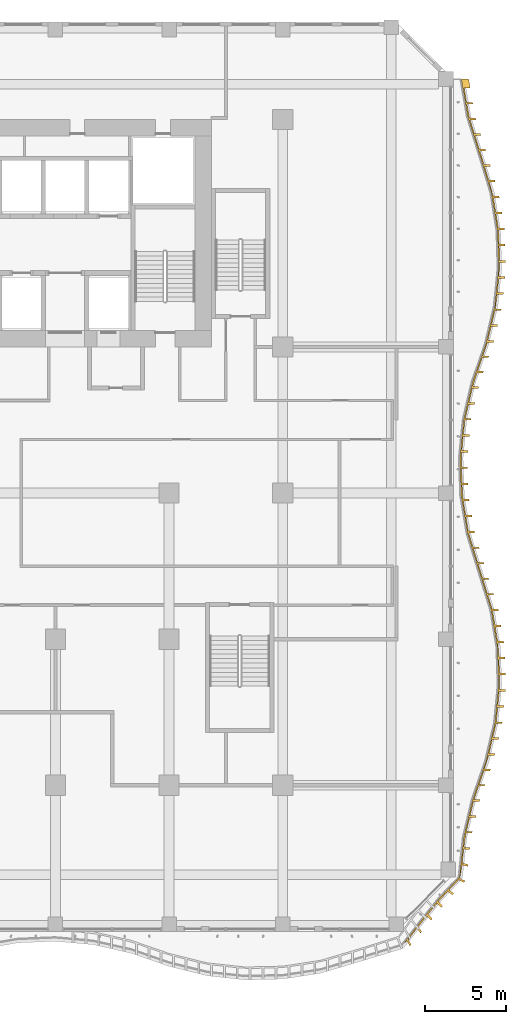
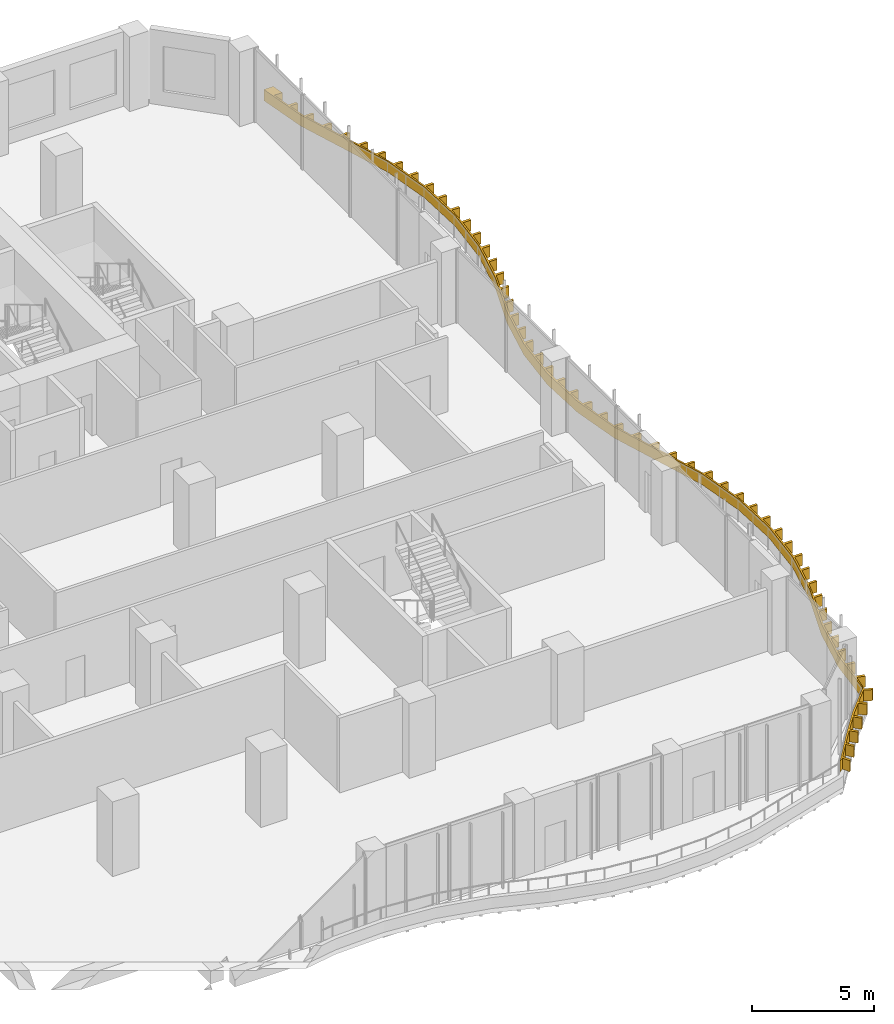
# One storey, part 22 of 25: 1 shading device.
"""IFC4 building model written with IfcOpenShell, lengths in metres."""

from ifc_helpers import new_model, si_unit, direction, frame, origin, place, context, subcontext, project, spatial, polyline, outline, extrude, source, transform, mapped, material, layer, layer_set, type_object, element, save


model = new_model("IFC4")

# Units and contexts
model_context = context("Model", 3, precision=1e-05, world=origin(), true_north=direction((0.0, 1.0)))
body_context = subcontext(model_context, "Body", "Model", "MODEL_VIEW")
ifc_project = project(units=[si_unit("LENGTHUNIT", "METRE"), si_unit("AREAUNIT", "SQUARE_METRE"), si_unit("VOLUMEUNIT", "CUBIC_METRE"), si_unit("PLANEANGLEUNIT", "RADIAN"), si_unit("MASSUNIT", "GRAM", prefix="KILO")], contexts=[model_context])

# Site, building, storey
site_placement = place(None, origin())
site = spatial("IfcSite", under=ifc_project, at=site_placement, CompositionType="ELEMENT")
building_placement = place(site_placement, origin())
building = spatial("IfcBuilding", under=site, at=building_placement, Name="Kilnfold Tower and Market Hall", CompositionType="ELEMENT")
storey_placement = place(building_placement, frame((0.0, 0.0, 67.199951171875)))
storey = spatial("IfcBuildingStorey", under=building, at=storey_placement, Name="L15", CompositionType="ELEMENT", Elevation=67.199951171875)

# Shading device
ifc_material = material(Name="Bronze anodised aluminium", Category="aluminium")
ifc_layer = layer(ifc_material, 0.550048828125)
ifc_layer_set = layer_set([ifc_layer], Name="Bronze anodised aluminium")
shading_device_type = type_object("IfcShadingDeviceType", Name="BRONZE SLAT FASCIA 550", PredefinedType="USERDEFINED", material=ifc_layer_set)
shared_shape = source(origin(), body_context, "Body", "SweptSolid", [
    extrude(outline(polyline([(30.32470703125, -28.90869140625), (30.156494140625, -28.582763671875), (29.964599609375, -28.716796875), (31.0908203125, -27.257568359375), (32.136474609375, -25.969970703125), (33.3798828125, -24.657470703125), (33.648681640625, -22.166748046875), (34.205810546875, -19.833251953125), (35.01611328125, -17.5), (35.56298828125, -15.166748046875), (35.791015625, -12.833251953125), (35.71240234375, -10.5), (35.322509765625, -8.166748046875), (33.87744140625, -3.5), (33.48779296875, -1.166748046875), (33.408935546875, 1.166748046875), (33.636962890625, 3.5), (34.18408203125, 5.833251953125), (34.994140625, 8.166748046875), (35.55126953125, 10.5), (35.788818359375, 12.833251953125), (35.71923828125, 15.166748046875), (35.339111328125, 17.5), (34.627197265625, 19.833251953125), (33.894287109375, 22.166748046875), (33.494873046875, 24.5), (33.94482421875, 24.5), (34.041748046875, 23.93408203125), (33.671875, 23.93408203125), (33.8203125, 23.066650390625), (34.190185546875, 23.066650390625), (34.21044921875, 22.948486328125), (33.840576171875, 22.948486328125), (34.000244140625, 22.083740234375), (34.370361328125, 22.083740234375), (34.40625, 21.96923828125), (34.036376953125, 21.96923828125), (34.300048828125, 21.1298828125), (34.669921875, 21.1298828125), (34.705810546875, 21.015380859375), (34.3359375, 21.015380859375), (34.599609375, 20.17578125), (34.969482421875, 20.17578125), (35.005615234375, 20.061279296875), (34.635498046875, 20.061279296875), (34.894287109375, 19.22021484375), (35.26416015625, 19.22021484375), (35.29931640625, 19.105224609375), (34.92919921875, 19.105224609375), (35.18603515625, 18.263671875), (35.55615234375, 18.263671875), (35.591064453125, 18.14892578125), (35.22119140625, 18.14892578125), (35.451416015625, 17.301025390625), (35.821533203125, 17.301025390625), (35.8408203125, 17.1826171875), (35.470703125, 17.1826171875), (35.6123046875, 16.31396484375), (35.982421875, 16.31396484375), (36.001708984375, 16.195556640625), (35.631591796875, 16.195556640625), (35.773193359375, 15.326904296875), (36.14306640625, 15.326904296875), (36.162353515625, 15.20849609375), (35.79248046875, 15.20849609375), (35.82421875, 14.32958984375), (36.194091796875, 14.32958984375), (36.19775390625, 14.209716796875), (35.82763671875, 14.209716796875), (35.85400390625, 13.330078125), (36.223876953125, 13.330078125), (36.2275390625, 13.2099609375), (35.857421875, 13.2099609375), (35.81787109375, 12.332763671875), (36.187744140625, 12.332763671875), (36.175537109375, 12.21337890625), (35.8056640625, 12.21337890625), (35.716552734375, 11.337890625), (36.08642578125, 11.337890625), (36.07421875, 11.218505859375), (35.704345703125, 11.218505859375), (35.594482421875, 10.3466796875), (35.964599609375, 10.3466796875), (35.936767578125, 10.229736328125), (35.566650390625, 10.229736328125), (35.3623046875, 9.373779296875), (35.732421875, 9.373779296875), (35.70458984375, 9.257080078125), (35.33447265625, 9.257080078125), (35.130126953125, 8.401123046875), (35.5, 8.401123046875), (35.47216796875, 8.284423828125), (35.102294921875, 8.284423828125), (34.8251953125, 7.44970703125), (35.1953125, 7.44970703125), (35.156005859375, 7.33642578125), (34.785888671875, 7.33642578125), (34.497314453125, 6.505126953125), (34.8671875, 6.505126953125), (34.827880859375, 6.3916015625), (34.4580078125, 6.3916015625), (34.1982421875, 5.552001953125), (34.568115234375, 5.552001953125), (34.540771484375, 5.435302734375), (34.1708984375, 5.435302734375), (33.969970703125, 4.57861328125), (34.33984375, 4.57861328125), (34.3125, 4.461669921875), (33.9423828125, 4.461669921875), (33.74169921875, 3.60498046875), (34.111572265625, 3.60498046875), (34.085693359375, 3.48779296875), (33.7158203125, 3.48779296875), (33.630126953125, 2.61181640625), (34.000244140625, 2.61181640625), (33.988525390625, 2.492431640625), (33.61865234375, 2.492431640625), (33.532958984375, 1.61669921875), (33.903076171875, 1.61669921875), (33.891357421875, 1.497314453125), (33.521240234375, 1.497314453125), (33.507568359375, 0.619140625), (33.87744140625, 0.619140625), (33.881591796875, 0.499267578125), (33.511474609375, 0.499267578125), (33.541259765625, -0.38037109375), (33.9111328125, -0.38037109375), (33.915283203125, -0.500244140625), (33.545166015625, -0.500244140625), (33.602783203125, -1.376953125), (33.972900390625, -1.376953125), (33.99267578125, -1.495361328125), (33.62255859375, -1.495361328125), (33.767578125, -2.36328125), (34.1376953125, -2.36328125), (34.157470703125, -2.481689453125), (33.787353515625, -2.481689453125), (33.932373046875, -3.349609375), (34.302490234375, -3.349609375), (34.322021484375, -3.468017578125), (33.9521484375, -3.468017578125), (34.208251953125, -4.3095703125), (34.578125, -4.3095703125), (34.61376953125, -4.42431640625), (34.24365234375, -4.42431640625), (34.50390625, -5.264892578125), (34.8740234375, -5.264892578125), (34.909423828125, -5.37939453125), (34.53955078125, -5.37939453125), (34.7998046875, -6.22021484375), (35.169921875, -6.22021484375), (35.205322265625, -6.334716796875), (34.835205078125, -6.334716796875), (35.095458984375, -7.17529296875), (35.465576171875, -7.17529296875), (35.5009765625, -7.2900390625), (35.131103515625, -7.2900390625), (35.391357421875, -8.130615234375), (35.76123046875, -8.130615234375), (35.7724609375, -8.166748046875), (35.785888671875, -8.247802734375), (35.416015625, -8.247802734375), (35.56103515625, -9.11572265625), (35.93115234375, -9.11572265625), (35.95068359375, -9.234130859375), (35.580810546875, -9.234130859375), (35.725830078125, -10.10205078125), (36.095703125, -10.10205078125), (36.115478515625, -10.220458984375), (35.74560546875, -10.220458984375), (35.8125, -11.09619140625), (36.182373046875, -11.09619140625), (36.1865234375, -11.21630859375), (35.81640625, -11.21630859375), (35.84619140625, -12.095703125), (36.216064453125, -12.095703125), (36.22021484375, -12.215576171875), (35.85009765625, -12.215576171875), (35.845458984375, -13.093994140625), (36.215576171875, -13.093994140625), (36.203857421875, -13.21337890625), (35.833984375, -13.21337890625), (35.748291015625, -14.08935546875), (36.118408203125, -14.08935546875), (36.106689453125, -14.208740234375), (35.736572265625, -14.208740234375), (35.65087890625, -15.08447265625), (36.02099609375, -15.08447265625), (36.012939453125, -15.166748046875), (36.00439453125, -15.203125), (35.634521484375, -15.203125), (35.43359375, -16.059814453125), (35.8037109375, -16.059814453125), (35.776123046875, -16.1767578125), (35.40625, -16.1767578125), (35.205322265625, -17.033447265625), (35.575439453125, -17.033447265625), (35.548095703125, -17.150390625), (35.177978515625, -17.150390625), (34.92529296875, -17.9921875), (35.295166015625, -17.9921875), (35.255859375, -18.10546875), (34.8857421875, -18.10546875), (34.59716796875, -18.936767578125), (34.96728515625, -18.936767578125), (34.927734375, -19.050048828125), (34.557861328125, -19.050048828125), (34.274169921875, -19.8828125), (34.64404296875, -19.8828125), (34.6162109375, -19.99951171875), (34.24609375, -19.99951171875), (34.041748046875, -20.85546875), (34.411865234375, -20.85546875), (34.384033203125, -20.97216796875), (34.013916015625, -20.97216796875), (33.8095703125, -21.828125), (34.1796875, -21.828125), (34.15185546875, -21.94482421875), (33.78173828125, -21.94482421875), (33.65771484375, -22.802978515625), (34.022216796875, -22.8388671875), (34.00830078125, -22.962646484375), (33.644775390625, -22.919921875), (33.55078125, -23.77880859375), (33.905029296875, -23.869873046875), (33.890869140625, -23.99365234375), (33.538330078125, -23.89599609375), (33.407470703125, -24.737060546875), (33.74658203125, -24.883056640625), (33.661376953125, -24.975830078125), (33.32666015625, -24.822021484375), (32.737060546875, -25.44580078125), (33.03515625, -25.65673828125), (32.94970703125, -25.74951171875), (32.656982421875, -25.531005859375), (32.076904296875, -26.169189453125), (32.338623046875, -26.430908203125), (32.262939453125, -26.524169921875), (32.00146484375, -26.262451171875), (31.446533203125, -26.945556640625), (31.708251953125, -27.207275390625), (31.632568359375, -27.30029296875), (31.37109375, -27.038818359375), (30.830078125, -27.71826171875), (31.06298828125, -28.00146484375), (30.98388671875, -28.0986328125), (30.7578125, -27.810791015625), (30.228759765625, -28.489990234375), (30.40380859375, -28.8115234375), (30.32470703125, -28.90869140625)])), origin(), (0.0, 0.0, 1.0), 0.550048828125),
])
shading_device_placement = place(storey_placement, frame((0.0, 0.0, 0.550048828125)))
element("IfcShadingDevice", 1, at=shading_device_placement, inside=storey, type_object=shading_device_type, Name="Balcony slat fascia L15", ObjectType="SLAT", PredefinedType="USERDEFINED", context=body_context, shape_type="MappedRepresentation", body=[
    mapped(shared_shape, transform((0.0, 0.0, 0.0))),
])

save(model, "model.ifc")
